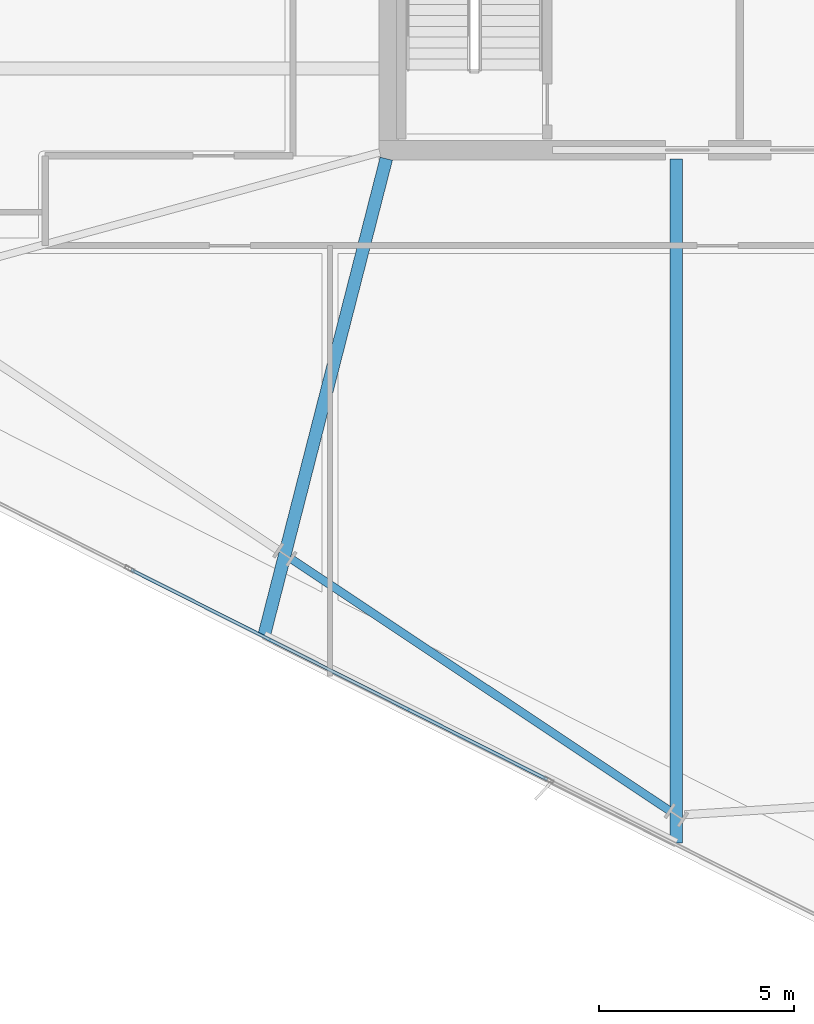
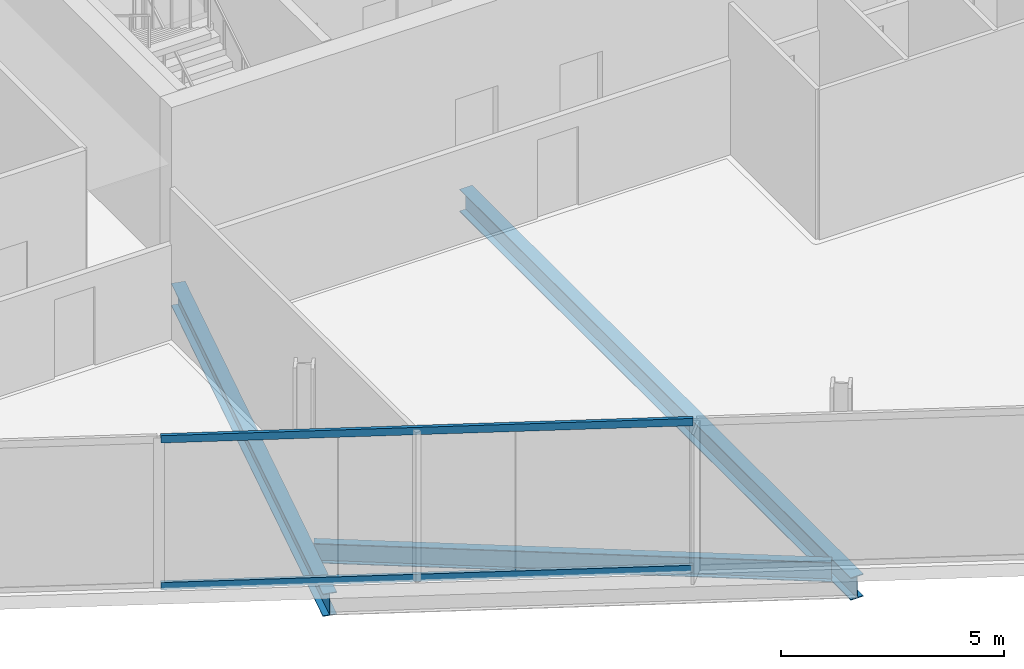
# One storey, part 4 of 27: 3 beams, 2 members, 1 element without a shape of its own.
"""IFC4 building model written with IfcOpenShell, lengths in metres."""

from ifc_helpers import new_model, si_unit, direction, frame, origin, origin_2d, place, context, subcontext, project, spatial, hollow_rectangle, i_section, extrude, material, material_profile, profile_set, type_object, element, aggregate, save


model = new_model("IFC4")

# Units and contexts
model_context = context("Model", 3, precision=1e-05, world=origin(), true_north=direction((0.0, 1.0)))
body_context = subcontext(model_context, "Body", "Model", "MODEL_VIEW")
ifc_project = project(units=[si_unit("LENGTHUNIT", "METRE"), si_unit("AREAUNIT", "SQUARE_METRE"), si_unit("VOLUMEUNIT", "CUBIC_METRE"), si_unit("PLANEANGLEUNIT", "RADIAN"), si_unit("MASSUNIT", "GRAM", prefix="KILO")], contexts=[model_context])

# Site, building, storey
site_placement = place(None, origin())
site = spatial("IfcSite", under=ifc_project, at=site_placement, CompositionType="ELEMENT")
building_placement = place(site_placement, origin())
building = spatial("IfcBuilding", under=site, at=building_placement, Name="Haldenkirk Collegiate Tower", CompositionType="ELEMENT")
storey_placement = place(building_placement, frame((0.0, 0.0, 239.699951171875)))
storey = spatial("IfcBuildingStorey", under=building, at=storey_placement, Name="L60", CompositionType="ELEMENT", Elevation=239.699951171875)

# Beams
ifc_material_1 = material(Name="Steel ASTM A992 Grade 50", Category="steel")
ifc_material_profile_1 = material_profile(ifc_material_1, i_section(OverallWidth=0.324951171875, OverallDepth=0.615966796875, WebThickness=0.013916015625, FlangeThickness=0.021484375, at=origin_2d()), Name="W24X117")
ifc_profile_set_1 = profile_set([ifc_material_profile_1], Name="Steel ASTM A992 Grade 50")
beam_type_1 = type_object("IfcBeamType", Name="BM-GIRDER-W24X117", PredefinedType="BEAM", material=ifc_profile_set_1)
beam_1_placement = place(storey_placement, frame((23.814697265625, 5.568115234375, -0.657958984375), z_axis=(0.248201508549, 0.96870842422, 0.0), x_axis=(-0.96870842422, 0.248201508549, 0.0)))
element("IfcBeam", 1, at=beam_1_placement, inside=storey, type_object=beam_type_1, Name="L60 primary floor girder 15", PredefinedType="BEAM", context=body_context, shape_type="SweptSolid", body=[
    extrude(i_section(OverallWidth=0.324951171875, OverallDepth=0.615966796875, WebThickness=0.013916015625, FlangeThickness=0.021484375, at=origin_2d()), origin(), (0.0, 0.0, 1.0), 12.603271484375),
])
beam_2_placement = place(storey_placement, frame((34.376708984375, 0.244384765625, -0.657958984375), z_axis=(0.0, 1.0, 0.0), x_axis=(-1.0, 0.0, 0.0)))
element("IfcBeam", 2, at=beam_2_placement, inside=storey, type_object=beam_type_1, Name="L60 primary floor girder 16", PredefinedType="BEAM", context=body_context, shape_type="SweptSolid", body=[
    extrude(i_section(OverallWidth=0.324951171875, OverallDepth=0.615966796875, WebThickness=0.013916015625, FlangeThickness=0.021484375, at=origin_2d()), origin(), (0.0, 0.0, 1.0), 17.525634765625),
])
ifc_material_profile_2 = material_profile(ifc_material_1, i_section(OverallWidth=0.2099609375, OverallDepth=0.537109375, WebThickness=0.010986328125, FlangeThickness=0.017333984375, at=origin_2d()), Name="W21X68")
ifc_profile_set_2 = profile_set([ifc_material_profile_2], Name="Steel ASTM A992 Grade 50")
beam_type_2 = type_object("IfcBeamType", Name="BM-SPANDREL-W21X68", PredefinedType="SPANDREL", material=ifc_profile_set_2)
beam_3_placement = place(storey_placement, frame((24.52392578125, 7.510986328125, -0.618408203125), z_axis=(0.832441238083, -0.554113332395, 0.0), x_axis=(0.554113332395, 0.832441238083, 0.0)))
element("IfcBeam", 3, at=beam_3_placement, inside=storey, type_object=beam_type_2, Name="L60 perimeter spandrel beam 15", PredefinedType="SPANDREL", context=body_context, shape_type="SweptSolid", body=[
    extrude(i_section(OverallWidth=0.2099609375, OverallDepth=0.537109375, WebThickness=0.010986328125, FlangeThickness=0.017333984375, at=origin_2d()), origin(), (0.0, 0.0, 1.0), 11.618896484375),
])

# Curtain wall, members
ifc_material_2 = material(Name="Anodised architectural bronze aluminium", Category="aluminium")
curtain_wall_type = type_object("IfcCurtainWallType", Name="CW-SYS1B-CONVEX-HI", PredefinedType="USERDEFINED", material=ifc_material_2)
curtain_wall_placement = place(storey_placement, origin())
curtain_wall = element("IfcCurtainWall", 4, at=curtain_wall_placement, inside=storey, type_object=curtain_wall_type, Name="L60 Upper tower high-wind convex bronze unitised curtain wall", ObjectType="UNITISED CURTAIN WALL", PredefinedType="USERDEFINED")
ifc_material_profile_3 = material_profile(ifc_material_2, hollow_rectangle(XDim=0.0849609375, YDim=0.199951171875, WallThickness=0.0048828125, at=origin_2d()), Name="CW-TRN-1B")
ifc_profile_set_3 = profile_set([ifc_material_profile_3], Name="Anodised architectural bronze aluminium")
member_type = type_object("IfcMemberType", Name="CW-TRN-1B", PredefinedType="USERDEFINED", material=ifc_profile_set_3)
member_1_placement = place(storey_placement, frame((31.067626953125, 1.867431640625, 0.04248046875), z_axis=(-0.892983053741, 0.4500902862, 0.0), x_axis=(-0.4500902862, -0.892983053741, 0.0)))
member_1 = element("IfcMember", 5, at=member_1_placement, type_object=member_type, Name="CW-1B transom 2.1", ObjectType="TRANSOM", PredefinedType="USERDEFINED", context=body_context, shape_type="SweptSolid", body=[
    extrude(hollow_rectangle(XDim=0.0849609375, YDim=0.199951171875, WallThickness=0.0048828125, at=origin_2d()), origin(), (0.0, 0.0, 1.0), 11.93994140625),
])
member_2_placement = place(storey_placement, frame((31.067626953125, 1.867431640625, 4.0576171875), z_axis=(-0.892983053741, 0.4500902862, 0.0), x_axis=(-0.4500902862, -0.892983053741, 0.0)))
member_2 = element("IfcMember", 6, at=member_2_placement, type_object=member_type, Name="CW-1B transom 2.2", ObjectType="TRANSOM", PredefinedType="USERDEFINED", context=body_context, shape_type="SweptSolid", body=[
    extrude(hollow_rectangle(XDim=0.0849609375, YDim=0.199951171875, WallThickness=0.0048828125, at=origin_2d()), origin(), (0.0, 0.0, 1.0), 11.93994140625),
])
aggregate(curtain_wall, [member_1, member_2])

save(model, "model.ifc")
